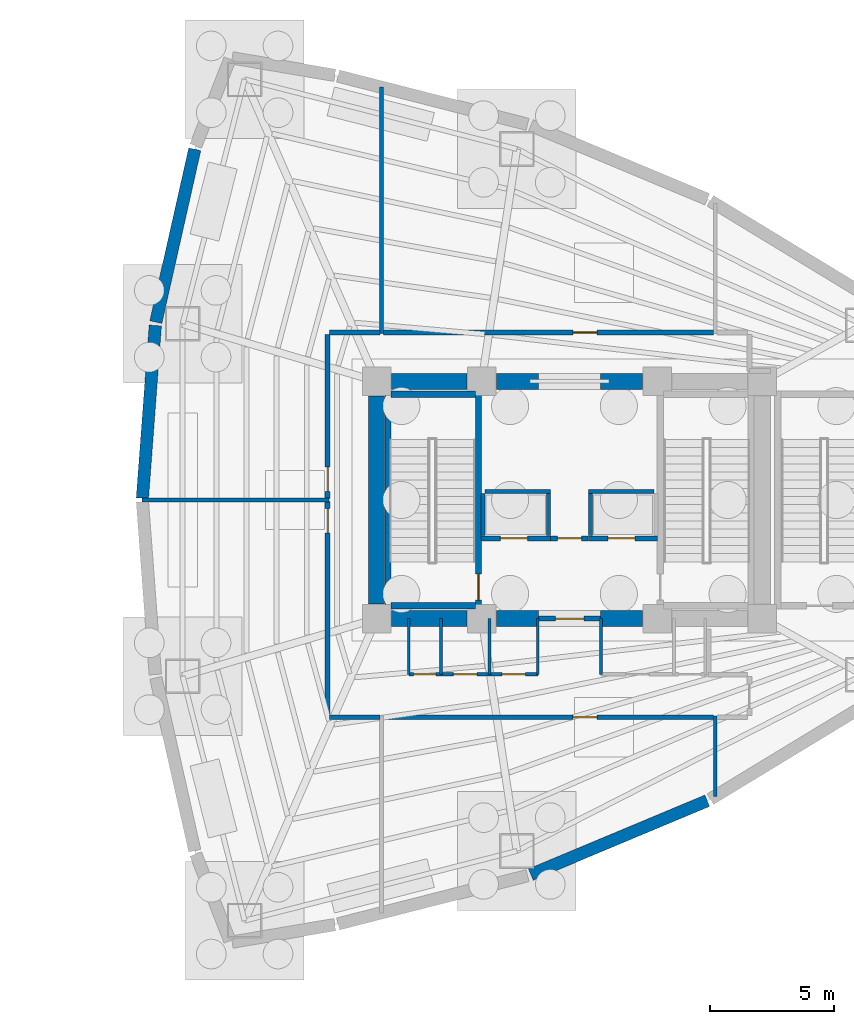
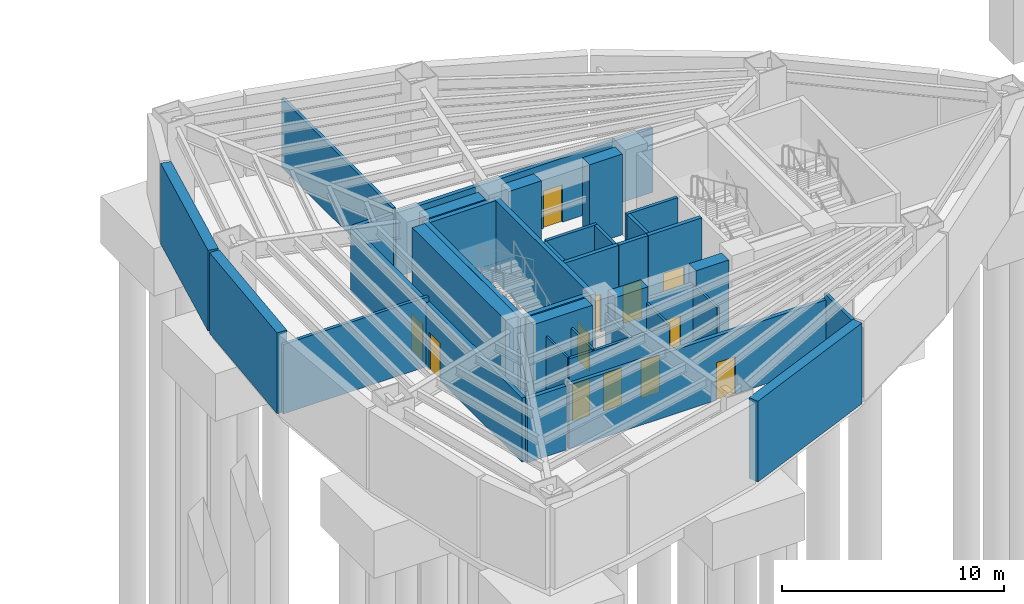
# One storey, part 3 of 7: 38 walls, 12 doors, 12 openings.
"""IFC4 building model written with IfcOpenShell, lengths in metres."""

from ifc_helpers import new_model, si_unit, direction, frame, frame_2d, origin, place, context, subcontext, project, spatial, rectangle, extrude, material, layer, layer_set, type_object, element, fill, save


model = new_model("IFC4")

# Units and contexts
model_context = context("Model", 3, precision=1e-05, world=origin(), true_north=direction((0.0, 1.0)))
body_context = subcontext(model_context, "Body", "Model", "MODEL_VIEW")
ifc_project = project(units=[si_unit("LENGTHUNIT", "METRE"), si_unit("AREAUNIT", "SQUARE_METRE"), si_unit("VOLUMEUNIT", "CUBIC_METRE"), si_unit("PLANEANGLEUNIT", "RADIAN"), si_unit("MASSUNIT", "GRAM", prefix="KILO")], contexts=[model_context])

# Site, building, storey
site_placement = place(None, origin())
site = spatial("IfcSite", under=ifc_project, at=site_placement, CompositionType="ELEMENT")
building_placement = place(site_placement, origin())
building = spatial("IfcBuilding", under=site, at=building_placement, Name="Menara Vayukalpa", CompositionType="ELEMENT")
storey_placement = place(building_placement, frame((0.0, 0.0, -9.60009765625)))
storey = spatial("IfcBuildingStorey", under=building, at=storey_placement, Name="B02", CompositionType="ELEMENT", Elevation=-9.60009765625)

# Walls
ifc_material_1 = material(Name="Concrete C80/95", Category="concrete")
ifc_layer_1 = layer(ifc_material_1, 0.64990234375)
ifc_layer_set_1 = layer_set([ifc_layer_1], Name="Concrete C80/95")
wall_type_1 = type_object("IfcWallType", Name="WAL-CW650", PredefinedType="SHEAR", material=ifc_layer_set_1)
wall_1_placement = place(storey_placement, frame((18.39501953125, 17.199951171875, 0.0), z_axis=(0.0, 0.0, 1.0), x_axis=(1.0, 0.0, 0.0)))
element("IfcWall", 1, at=wall_1_placement, inside=storey, type_object=wall_type_1, Name="B02 Buttressed Core Shear Wall CWS1", PredefinedType="SHEAR", context=body_context, shape_type="SweptSolid", body=[
    extrude(rectangle(XDim=3.06005859375, YDim=0.64990234375, at=frame_2d((1.530029296875, 0.0))), origin(), (0.0, 0.0, 1.0), 4.440185546875),
])
wall_2_placement = place(storey_placement, frame((22.64501953125, 17.199951171875, 0.0), z_axis=(0.0, 0.0, 1.0), x_axis=(1.0, 0.0, 0.0)))
element("IfcWall", 2, at=wall_2_placement, inside=storey, type_object=wall_type_1, Name="B02 Buttressed Core Shear Wall CWS2", PredefinedType="SHEAR", context=body_context, shape_type="SweptSolid", body=[
    extrude(rectangle(XDim=1.705078125, YDim=0.64990234375, at=frame_2d((0.8525390625, 0.0))), origin(), (0.0, 0.0, 1.0), 4.440185546875),
])
wall_3_placement = place(storey_placement, frame((26.85009765625, 17.199951171875, 0.0), z_axis=(0.0, 0.0, 1.0), x_axis=(1.0, 0.0, 0.0)))
element("IfcWall", 3, at=wall_3_placement, inside=storey, type_object=wall_type_1, Name="B02 Buttressed Core Shear Wall CWS3", PredefinedType="SHEAR", context=body_context, shape_type="SweptSolid", body=[
    extrude(rectangle(XDim=1.704833984375, YDim=0.64990234375, at=frame_2d((0.8525390625, 0.0))), origin(), (0.0, 0.0, 1.0), 4.440185546875),
])
wall_4_placement = place(storey_placement, frame((18.39501953125, 26.800048828125, 0.0), z_axis=(0.0, 0.0, 1.0), x_axis=(1.0, 0.0, 0.0)))
element("IfcWall", 4, at=wall_4_placement, inside=storey, type_object=wall_type_1, Name="B02 Buttressed Core Shear Wall CWN1", PredefinedType="SHEAR", context=body_context, shape_type="SweptSolid", body=[
    extrude(rectangle(XDim=3.06005859375, YDim=0.64990234375, at=frame_2d((1.530029296875, 0.0))), origin(), (0.0, 0.0, 1.0), 4.440185546875),
])
wall_5_placement = place(storey_placement, frame((22.64501953125, 26.800048828125, 0.0), z_axis=(0.0, 0.0, 1.0), x_axis=(1.0, 0.0, 0.0)))
element("IfcWall", 5, at=wall_5_placement, inside=storey, type_object=wall_type_1, Name="B02 Buttressed Core Shear Wall CWN2", PredefinedType="SHEAR", context=body_context, shape_type="SweptSolid", body=[
    extrude(rectangle(XDim=1.705078125, YDim=0.64990234375, at=frame_2d((0.8525390625, 0.0))), origin(), (0.0, 0.0, 1.0), 4.440185546875),
])
wall_6_placement = place(storey_placement, frame((26.85009765625, 26.800048828125, 0.0), z_axis=(0.0, 0.0, 1.0), x_axis=(1.0, 0.0, 0.0)))
element("IfcWall", 6, at=wall_6_placement, inside=storey, type_object=wall_type_1, Name="B02 Buttressed Core Shear Wall CWN3", PredefinedType="SHEAR", context=body_context, shape_type="SweptSolid", body=[
    extrude(rectangle(XDim=1.704833984375, YDim=0.64990234375, at=frame_2d((0.8525390625, 0.0))), origin(), (0.0, 0.0, 1.0), 4.440185546875),
])
wall_7_placement = place(storey_placement, frame((17.800048828125, 17.794921875, 0.0), z_axis=(0.0, 0.0, 1.0), x_axis=(0.0, 1.0, 0.0)))
element("IfcWall", 7, at=wall_7_placement, inside=storey, type_object=wall_type_1, Name="B02 Buttressed Core Shear Wall CWW1", PredefinedType="SHEAR", context=body_context, shape_type="SweptSolid", body=[
    extrude(rectangle(XDim=8.41015625, YDim=0.64990234375, at=frame_2d((4.205078125, 0.0))), origin(), (0.0, 0.0, 1.0), 4.440185546875),
])
ifc_material_2 = material(Name="Lightweight Concrete Blockwork C16/20", Category="masonry")
ifc_layer_2 = layer(ifc_material_2, 0.159912109375)
ifc_layer_set_2 = layer_set([ifc_layer_2], Name="Lightweight Concrete Blockwork C16/20")
wall_type_2 = type_object("IfcWallType", Name="WAL-FR150", PredefinedType="PARTITIONING", material=ifc_layer_set_2)
for number, where, z_axis, x_axis, name in (
    (8, (22.10498046875, 20.56005859375, 0.0), (0.0, 0.0, 1.0), (0.0, 1.0, 0.0), "B02 Interior Partition IW-B02-SHW-WW"),
    (9, (24.7548828125, 20.56005859375, 0.0), (0.0, 0.0, 1.0), (0.0, 1.0, 0.0), "B02 Interior Partition IW-B02-SHW-W1E"),
):
    element("IfcWall", number, at=place(storey_placement, frame(where, z_axis=z_axis, x_axis=x_axis)), inside=storey, type_object=wall_type_2, Name=name, PredefinedType="PARTITIONING", context=body_context, shape_type="SweptSolid", body=[
        extrude(rectangle(XDim=1.7099609375, YDim=0.159912109375, at=frame_2d((0.85498046875, 0.0))), origin(), (0.0, 0.0, 1.0), 4.440185546875),
    ])
wall_8_placement = place(storey_placement, frame((22.179931640625, 22.344970703125, 0.0), z_axis=(0.0, 0.0, 1.0), x_axis=(1.0, 0.0, 0.0)))
element("IfcWall", 10, at=wall_8_placement, inside=storey, type_object=wall_type_2, Name="B02 Interior Partition IW-B02-SHM-W12", PredefinedType="PARTITIONING", context=body_context, shape_type="SweptSolid", body=[
    extrude(rectangle(XDim=2.650146484375, YDim=0.159912109375, at=frame_2d((1.3251953125, 0.0))), origin(), (0.0, 0.0, 1.0), 4.440185546875),
])
wall_9_placement = place(storey_placement, frame((26.445068359375, 20.56005859375, 0.0), z_axis=(0.0, 0.0, 1.0), x_axis=(0.0, 1.0, 0.0)))
element("IfcWall", 11, at=wall_9_placement, inside=storey, type_object=wall_type_2, Name="B02 Interior Partition IW-B02-SHW-E1W", PredefinedType="PARTITIONING", context=body_context, shape_type="SweptSolid", body=[
    extrude(rectangle(XDim=1.7099609375, YDim=0.159912109375, at=frame_2d((0.85498046875, 0.0))), origin(), (0.0, 0.0, 1.0), 4.440185546875),
])
wall_10_placement = place(storey_placement, frame((26.3701171875, 22.344970703125, 0.0), z_axis=(0.0, 0.0, 1.0), x_axis=(1.0, 0.0, 0.0)))
element("IfcWall", 12, at=wall_10_placement, inside=storey, type_object=wall_type_2, Name="B02 Interior Partition IW-B02-SHM-E13", PredefinedType="PARTITIONING", context=body_context, shape_type="SweptSolid", body=[
    extrude(rectangle(XDim=2.64990234375, YDim=0.159912109375, at=frame_2d((1.324951171875, 0.0))), origin(), (0.0, 0.0, 1.0), 4.440185546875),
])
wall_11_placement = place(storey_placement, frame((18.0, 28.72998046875, 0.0), z_axis=(0.0, 0.0, 1.0), x_axis=(0.0, 1.0, 0.0)))
element("IfcWall", 13, at=wall_11_placement, inside=storey, type_object=wall_type_2, Name="B02 Interior Partition IW-B02-RDIV02", PredefinedType="PARTITIONING", context=body_context, shape_type="SweptSolid", body=[
    extrude(rectangle(XDim=9.984130859375, YDim=0.159912109375, at=frame_2d((4.9921875, 0.0))), origin(), (0.0, 0.0, 1.0), 3.820068359375),
])
wall_12_placement = place(storey_placement, frame((31.5, 10.0048828125, 0.0), z_axis=(0.0, 0.0, 1.0), x_axis=(0.0, 1.0, 0.0)))
element("IfcWall", 14, at=wall_12_placement, inside=storey, type_object=wall_type_2, Name="B02 Interior Partition IW-B02-RDIV03", PredefinedType="PARTITIONING", context=body_context, shape_type="SweptSolid", body=[
    extrude(rectangle(XDim=3.255126953125, YDim=0.159912109375, at=frame_2d((1.62744140625, 0.0))), origin(), (0.0, 0.0, 1.0), 3.820068359375),
])
wall_13_placement = place(storey_placement, frame((8.307373046875, 22.0, 0.0), z_axis=(0.0, 0.0, 1.0), x_axis=(1.0, 0.0, 0.0)))
element("IfcWall", 15, at=wall_13_placement, inside=storey, type_object=wall_type_2, Name="B02 Interior Partition IW-B02-RDIV05", PredefinedType="PARTITIONING", context=body_context, shape_type="SweptSolid", body=[
    extrude(rectangle(XDim=7.562744140625, YDim=0.159912109375, at=frame_2d((3.78125, 0.0))), origin(), (0.0, 0.0, 1.0), 3.820068359375),
])

# Wall, opening, door
ifc_material_3 = material(Name="Lightweight Concrete Blockwork C16/20", Category="masonry")
ifc_layer_3 = layer(ifc_material_3, 0.199951171875)
ifc_layer_set_3 = layer_set([ifc_layer_3], Name="Lightweight Concrete Blockwork C16/20")
wall_type_3 = type_object("IfcWallType", Name="WAL-FR200", PredefinedType="PARTITIONING", material=ifc_layer_set_3)
wall_14_placement = place(storey_placement, frame((24.35009765625, 17.199951171875, 0.0), z_axis=(0.0, 0.0, 1.0), x_axis=(1.0, 0.0, 0.0)))
wall_14 = element("IfcWall", 16, at=wall_14_placement, inside=storey, type_object=wall_type_3, Name="B02 Interior Partition IW-B02-FFLS", PredefinedType="PARTITIONING", context=body_context, shape_type="SweptSolid", body=[
    extrude(rectangle(XDim=2.5, YDim=0.199951171875, at=frame_2d((1.25, 0.0))), origin(), (0.0, 0.0, 1.0), 3.570068359375),
])
opening_1_placement = place(wall_14_placement, frame((0.679931640625, 0.0, 0.0)))
opening_1 = element("IfcOpeningElement", 17, at=opening_1_placement, cuts=wall_14, Name="Opening ID2", PredefinedType="OPENING", context=body_context, shape_type="SweptSolid", body=[
    extrude(rectangle(XDim=1.14990234375, YDim=2.080078125, at=frame_2d((0.574951171875, 1.0400390625))), frame((0.0, 0.10986328125, 0.0), z_axis=(0.0, -1.0, 0.0), x_axis=(1.0, 0.0, 0.0)), (0.0, 0.0, 1.0), 0.219970703125),
])
ifc_material_4 = material(Name="Fire-Rated Powder-Coated Steel Door", Category="steel")
door_type_1 = type_object("IfcDoorType", Name="DR-FD60W", OperationType="NOTDEFINED", PredefinedType="DOOR", material=ifc_material_4)
door_1_placement = place(opening_1_placement, origin())
door_1 = element("IfcDoor", 18, at=door_1_placement, inside=storey, type_object=door_type_1, Name="B02 Interior Door DR-B02-FFLS", OperationType="SINGLE_SWING_RIGHT", OverallHeight=2.080078125, OverallWidth=1.14990234375, PredefinedType="DOOR", context=body_context, shape_type="SweptSolid", body=[
    extrude(rectangle(XDim=1.14990234375, YDim=2.080078125, at=frame_2d((0.574951171875, 1.0400390625))), frame((0.0, 0.02490234375, 0.0), z_axis=(0.0, -1.0, 0.0), x_axis=(1.0, 0.0, 0.0)), (0.0, 0.0, 1.0), 0.050048828125),
])
fill(opening_1, door_1)

wall_15_placement = place(storey_placement, frame((24.840087890625, 20.449951171875, 0.0), z_axis=(0.0, 0.0, 1.0), x_axis=(1.0, 0.0, 0.0)))
wall_15 = element("IfcWall", 19, at=wall_15_placement, inside=storey, type_object=wall_type_3, Name="B02 Interior Partition IW-B02-FFLN", PredefinedType="PARTITIONING", context=body_context, shape_type="SweptSolid", body=[
    extrude(rectangle(XDim=1.52001953125, YDim=0.199951171875, at=frame_2d((0.760009765625, 0.0))), origin(), (0.0, 0.0, 1.0), 4.440185546875),
])
opening_2_placement = place(wall_15_placement, frame((0.27001953125, 0.0, 0.0)))
opening_2 = element("IfcOpeningElement", 20, at=opening_2_placement, cuts=wall_15, Name="Opening ID3", PredefinedType="OPENING", context=body_context, shape_type="SweptSolid", body=[
    extrude(rectangle(XDim=0.97998046875, YDim=2.06005859375, at=frame_2d((0.489990234375, 1.030029296875))), frame((0.0, 0.10986328125, 0.0), z_axis=(0.0, -1.0, 0.0), x_axis=(1.0, 0.0, 0.0)), (0.0, 0.0, 1.0), 0.219970703125),
])
ifc_material_5 = material(Name="Fire-Rated Powder-Coated Steel Door", Category="steel")
door_type_2 = type_object("IfcDoorType", Name="DR-FD60", OperationType="NOTDEFINED", PredefinedType="DOOR", material=ifc_material_5)
door_2_placement = place(opening_2_placement, origin())
door_2 = element("IfcDoor", 21, at=door_2_placement, inside=storey, type_object=door_type_2, Name="B02 Interior Door DR-B02-FFLN", OperationType="SINGLE_SWING_LEFT", OverallHeight=2.06005859375, OverallWidth=0.97998046875, PredefinedType="DOOR", context=body_context, shape_type="SweptSolid", body=[
    extrude(rectangle(XDim=0.97998046875, YDim=2.06005859375, at=frame_2d((0.489990234375, 1.030029296875))), frame((0.0, 0.02490234375, 0.0), z_axis=(0.0, -1.0, 0.0), x_axis=(1.0, 0.0, 0.0)), (0.0, 0.0, 1.0), 0.050048828125),
])
fill(opening_2, door_2)

wall_16_placement = place(storey_placement, frame((22.030029296875, 20.449951171875, 0.0), z_axis=(0.0, 0.0, 1.0), x_axis=(1.0, 0.0, 0.0)))
wall_16 = element("IfcWall", 22, at=wall_16_placement, inside=storey, type_object=wall_type_3, Name="B02 Interior Partition IW-B02-SH-W1", PredefinedType="PARTITIONING", context=body_context, shape_type="SweptSolid", body=[
    extrude(rectangle(XDim=2.800048828125, YDim=0.199951171875, at=frame_2d((1.39990234375, 0.0))), origin(), (0.0, 0.0, 1.0), 4.440185546875),
])
opening_3_placement = place(wall_16_placement, frame((0.780029296875, 0.0, 0.0)))
opening_3 = element("IfcOpeningElement", 23, at=opening_3_placement, cuts=wall_16, Name="Opening LD1", PredefinedType="OPENING", context=body_context, shape_type="SweptSolid", body=[
    extrude(rectangle(XDim=1.10009765625, YDim=2.080078125, at=frame_2d((0.550048828125, 1.0400390625))), frame((0.0, 0.10986328125, 0.0), z_axis=(0.0, -1.0, 0.0), x_axis=(1.0, 0.0, 0.0)), (0.0, 0.0, 1.0), 0.219970703125),
])
ifc_material_6 = material(Name="Brushed Stainless Steel 316 Lift Door", Category="steel")
door_type_3 = type_object("IfcDoorType", Name="DR-LD110", OperationType="NOTDEFINED", PredefinedType="DOOR", material=ifc_material_6)
door_3_placement = place(opening_3_placement, origin())
door_3 = element("IfcDoor", 24, at=door_3_placement, inside=storey, type_object=door_type_3, Name="B02 Interior Door DR-B02-LD-W1", OperationType="DOUBLE_DOOR_SLIDING", OverallHeight=2.080078125, OverallWidth=1.10009765625, PredefinedType="DOOR", context=body_context, shape_type="SweptSolid", body=[
    extrude(rectangle(XDim=1.10009765625, YDim=2.080078125, at=frame_2d((0.550048828125, 1.0400390625))), frame((0.0, 0.02490234375, 0.0), z_axis=(0.0, -1.0, 0.0), x_axis=(1.0, 0.0, 0.0)), (0.0, 0.0, 1.0), 0.050048828125),
])
fill(opening_3, door_3)

wall_17_placement = place(storey_placement, frame((26.3701171875, 20.449951171875, 0.0), z_axis=(0.0, 0.0, 1.0), x_axis=(1.0, 0.0, 0.0)))
wall_17 = element("IfcWall", 25, at=wall_17_placement, inside=storey, type_object=wall_type_3, Name="B02 Interior Partition IW-B02-SH-E1", PredefinedType="PARTITIONING", context=body_context, shape_type="SweptSolid", body=[
    extrude(rectangle(XDim=2.7998046875, YDim=0.199951171875, at=frame_2d((1.39990234375, 0.0))), origin(), (0.0, 0.0, 1.0), 4.440185546875),
])
opening_4_placement = place(wall_17_placement, frame((0.780029296875, 0.0, 0.0)))
opening_4 = element("IfcOpeningElement", 26, at=opening_4_placement, cuts=wall_17, Name="Opening LD1", PredefinedType="OPENING", context=body_context, shape_type="SweptSolid", body=[
    extrude(rectangle(XDim=1.10009765625, YDim=2.080078125, at=frame_2d((0.550048828125, 1.0400390625))), frame((0.0, 0.10986328125, 0.0), z_axis=(0.0, -1.0, 0.0), x_axis=(1.0, 0.0, 0.0)), (0.0, 0.0, 1.0), 0.219970703125),
])
door_4_placement = place(opening_4_placement, origin())
door_4 = element("IfcDoor", 27, at=door_4_placement, inside=storey, type_object=door_type_3, Name="B02 Interior Door DR-B02-LD-E1", OperationType="DOUBLE_DOOR_SLIDING", OverallHeight=2.080078125, OverallWidth=1.10009765625, PredefinedType="DOOR", context=body_context, shape_type="SweptSolid", body=[
    extrude(rectangle(XDim=1.10009765625, YDim=2.080078125, at=frame_2d((0.550048828125, 1.0400390625))), frame((0.0, 0.02490234375, 0.0), z_axis=(0.0, -1.0, 0.0), x_axis=(1.0, 0.0, 0.0)), (0.0, 0.0, 1.0), 0.050048828125),
])
fill(opening_4, door_4)

wall_18_placement = place(storey_placement, frame((15.820068359375, 21.929931640625, 0.0), z_axis=(0.0, 0.0, 1.0), x_axis=(0.0, -1.0, 0.0)))
wall_18 = element("IfcWall", 28, at=wall_18_placement, inside=storey, type_object=wall_type_3, Name="B02 Interior Partition IW-B02-CRM01-1", PredefinedType="PARTITIONING", context=body_context, shape_type="SweptSolid", body=[
    extrude(rectangle(XDim=8.639892578125, YDim=0.199951171875, at=frame_2d((4.31982421875, 0.0))), origin(), (0.0, 0.0, 1.0), 3.52001953125),
])
opening_5_placement = place(wall_18_placement, frame((0.280029296875, 0.0, 0.0)))
opening_5 = element("IfcOpeningElement", 29, at=opening_5_placement, cuts=wall_18, Name="Opening ID3", PredefinedType="OPENING", context=body_context, shape_type="SweptSolid", body=[
    extrude(rectangle(XDim=0.97998046875, YDim=2.06005859375, at=frame_2d((0.489990234375, 1.030029296875))), frame((0.0, 0.10986328125, 0.0), z_axis=(0.0, -1.0, 0.0), x_axis=(1.0, 0.0, 0.0)), (0.0, 0.0, 1.0), 0.219970703125),
])
door_5_placement = place(opening_5_placement, origin())
door_5 = element("IfcDoor", 30, at=door_5_placement, inside=storey, type_object=door_type_2, Name="B02 Interior Door DR-B02-RM01", OperationType="SINGLE_SWING_LEFT", OverallHeight=2.06005859375, OverallWidth=0.97998046875, PredefinedType="DOOR", context=body_context, shape_type="SweptSolid", body=[
    extrude(rectangle(XDim=0.97998046875, YDim=2.06005859375, at=frame_2d((0.489990234375, 1.030029296875))), frame((0.0, 0.02490234375, 0.0), z_axis=(0.0, -1.0, 0.0), x_axis=(1.0, 0.0, 0.0)), (0.0, 0.0, 1.0), 0.050048828125),
])
fill(opening_5, door_5)

# Wall
wall_19_placement = place(storey_placement, frame((15.89990234375, 13.2099609375, 0.0), z_axis=(0.0, 0.0, 1.0), x_axis=(1.0, 0.0, 0.0)))
element("IfcWall", 31, at=wall_19_placement, inside=storey, type_object=wall_type_3, Name="B02 Interior Partition IW-B02-CRM01-2", PredefinedType="PARTITIONING", context=body_context, shape_type="SweptSolid", body=[
    extrude(rectangle(XDim=2.030029296875, YDim=0.199951171875, at=frame_2d((1.01513671875, 0.0))), origin(), (0.0, 0.0, 1.0), 3.52001953125),
])

# Wall, opening, door
wall_20_placement = place(storey_placement, frame((18.070068359375, 13.2099609375, 0.0), z_axis=(0.0, 0.0, 1.0), x_axis=(1.0, 0.0, 0.0)))
wall_20 = element("IfcWall", 32, at=wall_20_placement, inside=storey, type_object=wall_type_3, Name="B02 Interior Partition IW-B02-CRM03-1", PredefinedType="PARTITIONING", context=body_context, shape_type="SweptSolid", body=[
    extrude(rectangle(XDim=13.35986328125, YDim=0.199951171875, at=frame_2d((6.679931640625, 0.0))), origin(), (0.0, 0.0, 1.0), 3.52001953125),
])
opening_6_placement = place(wall_20_placement, frame((7.66748046875, 0.0, 0.0)))
opening_6 = element("IfcOpeningElement", 33, at=opening_6_placement, cuts=wall_20, Name="Opening ID3", PredefinedType="OPENING", context=body_context, shape_type="SweptSolid", body=[
    extrude(rectangle(XDim=0.97998046875, YDim=2.06005859375, at=frame_2d((0.489990234375, 1.030029296875))), frame((0.0, 0.10986328125, 0.0), z_axis=(0.0, -1.0, 0.0), x_axis=(1.0, 0.0, 0.0)), (0.0, 0.0, 1.0), 0.219970703125),
])
door_6_placement = place(opening_6_placement, origin())
door_6 = element("IfcDoor", 34, at=door_6_placement, inside=storey, type_object=door_type_2, Name="B02 Interior Door DR-B02-RM03", OperationType="SINGLE_SWING_RIGHT", OverallHeight=2.06005859375, OverallWidth=0.97998046875, PredefinedType="DOOR", context=body_context, shape_type="SweptSolid", body=[
    extrude(rectangle(XDim=0.97998046875, YDim=2.06005859375, at=frame_2d((0.489990234375, 1.030029296875))), frame((0.0, 0.02490234375, 0.0), z_axis=(0.0, -1.0, 0.0), x_axis=(1.0, 0.0, 0.0)), (0.0, 0.0, 1.0), 0.050048828125),
])
fill(opening_6, door_6)

wall_21_placement = place(storey_placement, frame((31.429931640625, 28.780029296875, 0.0), z_axis=(0.0, 0.0, 1.0), x_axis=(-1.0, 0.0, 0.0)))
wall_21 = element("IfcWall", 35, at=wall_21_placement, inside=storey, type_object=wall_type_3, Name="B02 Interior Partition IW-B02-CRM06-1", PredefinedType="PARTITIONING", context=body_context, shape_type="SweptSolid", body=[
    extrude(rectangle(XDim=13.35986328125, YDim=0.199951171875, at=frame_2d((6.679931640625, 0.0))), origin(), (0.0, 0.0, 1.0), 3.52001953125),
])
opening_7_placement = place(wall_21_placement, frame((4.71240234375, 0.0, 0.0)))
opening_7 = element("IfcOpeningElement", 36, at=opening_7_placement, cuts=wall_21, Name="Opening ID3", PredefinedType="OPENING", context=body_context, shape_type="SweptSolid", body=[
    extrude(rectangle(XDim=0.97998046875, YDim=2.06005859375, at=frame_2d((0.489990234375, 1.030029296875))), frame((0.0, 0.10986328125, 0.0), z_axis=(0.0, -1.0, 0.0), x_axis=(1.0, 0.0, 0.0)), (0.0, 0.0, 1.0), 0.219970703125),
])
door_7_placement = place(opening_7_placement, origin())
door_7 = element("IfcDoor", 37, at=door_7_placement, inside=storey, type_object=door_type_2, Name="B02 Interior Door DR-B02-RM06", OperationType="SINGLE_SWING_RIGHT", OverallHeight=2.06005859375, OverallWidth=0.97998046875, PredefinedType="DOOR", context=body_context, shape_type="SweptSolid", body=[
    extrude(rectangle(XDim=0.97998046875, YDim=2.06005859375, at=frame_2d((0.489990234375, 1.030029296875))), frame((0.0, 0.02490234375, 0.0), z_axis=(0.0, -1.0, 0.0), x_axis=(1.0, 0.0, 0.0)), (0.0, 0.0, 1.0), 0.050048828125),
])
fill(opening_7, door_7)

# Wall
wall_22_placement = place(storey_placement, frame((17.929931640625, 28.780029296875, 0.0), z_axis=(0.0, 0.0, 1.0), x_axis=(-1.0, 0.0, 0.0)))
element("IfcWall", 38, at=wall_22_placement, inside=storey, type_object=wall_type_3, Name="B02 Interior Partition IW-B02-CRM07-1", PredefinedType="PARTITIONING", context=body_context, shape_type="SweptSolid", body=[
    extrude(rectangle(XDim=2.030029296875, YDim=0.199951171875, at=frame_2d((1.01513671875, 0.0))), origin(), (0.0, 0.0, 1.0), 3.52001953125),
])

# Wall, opening, door
wall_23_placement = place(storey_placement, frame((15.820068359375, 28.699951171875, 0.0), z_axis=(0.0, 0.0, 1.0), x_axis=(0.0, -1.0, 0.0)))
wall_23 = element("IfcWall", 39, at=wall_23_placement, inside=storey, type_object=wall_type_3, Name="B02 Interior Partition IW-B02-CRM07-2", PredefinedType="PARTITIONING", context=body_context, shape_type="SweptSolid", body=[
    extrude(rectangle(XDim=6.6298828125, YDim=0.199951171875, at=frame_2d((3.31494140625, 0.0))), origin(), (0.0, 0.0, 1.0), 3.52001953125),
])
opening_8_placement = place(wall_23_placement, frame((5.3701171875, 0.0, 0.0)))
opening_8 = element("IfcOpeningElement", 40, at=opening_8_placement, cuts=wall_23, Name="Opening ID3", PredefinedType="OPENING", context=body_context, shape_type="SweptSolid", body=[
    extrude(rectangle(XDim=0.97998046875, YDim=2.06005859375, at=frame_2d((0.489990234375, 1.030029296875))), frame((0.0, 0.10986328125, 0.0), z_axis=(0.0, -1.0, 0.0), x_axis=(1.0, 0.0, 0.0)), (0.0, 0.0, 1.0), 0.219970703125),
])
door_8_placement = place(opening_8_placement, origin())
door_8 = element("IfcDoor", 41, at=door_8_placement, inside=storey, type_object=door_type_2, Name="B02 Interior Door DR-B02-RM07", OperationType="SINGLE_SWING_LEFT", OverallHeight=2.06005859375, OverallWidth=0.97998046875, PredefinedType="DOOR", context=body_context, shape_type="SweptSolid", body=[
    extrude(rectangle(XDim=0.97998046875, YDim=2.06005859375, at=frame_2d((0.489990234375, 1.030029296875))), frame((0.0, 0.02490234375, 0.0), z_axis=(0.0, -1.0, 0.0), x_axis=(1.0, 0.0, 0.0)), (0.0, 0.0, 1.0), 0.050048828125),
])
fill(opening_8, door_8)

# Walls
ifc_material_7 = material(Name="Acoustic Mineral Stud Partition", Category="masonry")
ifc_layer_4 = layer(ifc_material_7, 0.110107421875)
ifc_layer_set_4 = layer_set([ifc_layer_4], Name="Acoustic Mineral Stud Partition")
wall_type_4 = type_object("IfcWallType", Name="WAL-PT110", PredefinedType="PARTITIONING", material=ifc_layer_set_4)
for number, where, z_axis, x_axis, name in (
    (42, (19.10009765625, 14.949951171875, 0.0), (0.0, 0.0, 1.0), (0.0, 1.0, 0.0), "B02 Interior Partition IW-B02-SVCD-01"),
    (43, (24.320068359375, 14.949951171875, 0.0), (0.0, 0.0, 1.0), (0.0, 1.0, 0.0), "B02 Interior Partition IW-B02-SVCD-04"),
):
    element("IfcWall", number, at=place(storey_placement, frame(where, z_axis=z_axis, x_axis=x_axis)), inside=storey, type_object=wall_type_4, Name=name, PredefinedType="PARTITIONING", context=body_context, shape_type="SweptSolid", body=[
        extrude(rectangle(XDim=2.25, YDim=0.110107421875, at=frame_2d((1.125, 0.0))), origin(), (0.0, 0.0, 1.0), 3.570068359375),
    ])
ifc_material_8 = material(Name="Gypsum Drywall Steel Stud Assembly", Category="steel")
ifc_layer_5 = layer(ifc_material_8, 0.125)
ifc_layer_set_5 = layer_set([ifc_layer_5], Name="Gypsum Drywall Steel Stud Assembly")
wall_type_5 = type_object("IfcWallType", Name="WAL-PT125", PredefinedType="PARTITIONING", material=ifc_layer_set_5)
wall_24_placement = place(storey_placement, frame((20.39990234375, 14.949951171875, 0.0), z_axis=(0.0, 0.0, 1.0), x_axis=(0.0, 1.0, 0.0)))
element("IfcWall", 44, at=wall_24_placement, inside=storey, type_object=wall_type_5, Name="B02 Interior Partition IW-B02-SVCD-02", PredefinedType="PARTITIONING", context=body_context, shape_type="SweptSolid", body=[
    extrude(rectangle(XDim=2.25, YDim=0.125, at=frame_2d((1.125, 0.0))), origin(), (0.0, 0.0, 1.0), 3.570068359375),
])
wall_25_placement = place(storey_placement, frame((22.360107421875, 14.949951171875, 0.0), z_axis=(0.0, 0.0, 1.0), x_axis=(0.0, 1.0, 0.0)))
element("IfcWall", 45, at=wall_25_placement, inside=storey, type_object=wall_type_5, Name="B02 Interior Partition IW-B02-SVCD-03", PredefinedType="PARTITIONING", context=body_context, shape_type="SweptSolid", body=[
    extrude(rectangle(XDim=2.25, YDim=0.125, at=frame_2d((1.125, 0.0))), origin(), (0.0, 0.0, 1.0), 3.52001953125),
])
wall_26_placement = place(storey_placement, frame((26.8798828125, 14.949951171875, 0.0), z_axis=(0.0, 0.0, 1.0), x_axis=(0.0, 1.0, 0.0)))
element("IfcWall", 46, at=wall_26_placement, inside=storey, type_object=wall_type_5, Name="B02 Interior Partition IW-B02-SVCD-05", PredefinedType="PARTITIONING", context=body_context, shape_type="SweptSolid", body=[
    extrude(rectangle(XDim=2.25, YDim=0.125, at=frame_2d((1.125, 0.0))), origin(), (0.0, 0.0, 1.0), 3.570068359375),
])

# Wall, openings, doors
ifc_material_9 = material(Name="Gypsum Drywall Acoustic Stud Assembly", Category="masonry")
ifc_layer_6 = layer(ifc_material_9, 0.14501953125)
ifc_layer_set_6 = layer_set([ifc_layer_6], Name="Gypsum Drywall Acoustic Stud Assembly")
wall_type_6 = type_object("IfcWallType", Name="WAL-PT150", PredefinedType="PARTITIONING", material=ifc_layer_set_6)
wall_27_placement = place(storey_placement, frame((19.10009765625, 14.949951171875, 0.0), z_axis=(0.0, 0.0, 1.0), x_axis=(1.0, 0.0, 0.0)))
wall_27 = element("IfcWall", 47, at=wall_27_placement, inside=storey, type_object=wall_type_6, Name="B02 Interior Partition IW-B02-SVCS-W", PredefinedType="PARTITIONING", context=body_context, shape_type="SweptSolid", body=[
    extrude(rectangle(XDim=5.219970703125, YDim=0.14501953125, at=frame_2d((2.60986328125, 0.0))), origin(), (0.0, 0.0, 1.0), 3.52001953125),
])
opening_9_placement = place(wall_27_placement, frame((0.199951171875, 0.0, 0.0)))
opening_9 = element("IfcOpeningElement", 48, at=opening_9_placement, cuts=wall_27, Name="Opening ID7", PredefinedType="OPENING", context=body_context, shape_type="SweptSolid", body=[
    extrude(rectangle(XDim=0.89990234375, YDim=2.02001953125, at=frame_2d((0.449951171875, 1.010009765625))), frame((0.0, 0.08251953125, 0.0), z_axis=(0.0, -1.0, 0.0), x_axis=(1.0, 0.0, 0.0)), (0.0, 0.0, 1.0), 0.1650390625),
])
opening_10_placement = place(wall_27_placement, frame((1.804931640625, 0.0, 0.0)))
opening_10 = element("IfcOpeningElement", 49, at=opening_10_placement, cuts=wall_27, Name="Opening ID5", PredefinedType="OPENING", context=body_context, shape_type="SweptSolid", body=[
    extrude(rectangle(XDim=0.949951171875, YDim=2.06005859375, at=frame_2d((0.47509765625, 1.030029296875))), frame((0.0, 0.08251953125, 0.0), z_axis=(0.0, -1.0, 0.0), x_axis=(1.0, 0.0, 0.0)), (0.0, 0.0, 1.0), 0.1650390625),
])
opening_11_placement = place(wall_27_placement, frame((3.764892578125, 0.0, 0.0)))
opening_11 = element("IfcOpeningElement", 50, at=opening_11_placement, cuts=wall_27, Name="Opening ID5", PredefinedType="OPENING", context=body_context, shape_type="SweptSolid", body=[
    extrude(rectangle(XDim=0.949951171875, YDim=2.06005859375, at=frame_2d((0.47509765625, 1.030029296875))), frame((0.0, 0.08251953125, 0.0), z_axis=(0.0, -1.0, 0.0), x_axis=(1.0, 0.0, 0.0)), (0.0, 0.0, 1.0), 0.1650390625),
])
ifc_material_10 = material(Name="Acoustic Hardwood Veneer Timber Door", Category="wood")
door_type_4 = type_object("IfcDoorType", Name="DR-INT95", OperationType="NOTDEFINED", PredefinedType="DOOR", material=ifc_material_10)
door_9_placement = place(opening_10_placement, origin())
door_9 = element("IfcDoor", 51, at=door_9_placement, inside=storey, type_object=door_type_4, Name="B02 Interior Door DR-B02-AWC", OperationType="SINGLE_SWING_LEFT", OverallHeight=2.06005859375, OverallWidth=0.949951171875, PredefinedType="DOOR", context=body_context, shape_type="SweptSolid", body=[
    extrude(rectangle(XDim=0.949951171875, YDim=2.06005859375, at=frame_2d((0.47509765625, 1.030029296875))), frame((0.0, 0.02490234375, 0.0), z_axis=(0.0, -1.0, 0.0), x_axis=(1.0, 0.0, 0.0)), (0.0, 0.0, 1.0), 0.050048828125),
])
fill(opening_10, door_9)
door_10_placement = place(opening_11_placement, origin())
door_10 = element("IfcDoor", 52, at=door_10_placement, inside=storey, type_object=door_type_4, Name="B02 Interior Door DR-B02-SWC", OperationType="SINGLE_SWING_RIGHT", OverallHeight=2.06005859375, OverallWidth=0.949951171875, PredefinedType="DOOR", context=body_context, shape_type="SweptSolid", body=[
    extrude(rectangle(XDim=0.949951171875, YDim=2.06005859375, at=frame_2d((0.47509765625, 1.030029296875))), frame((0.0, 0.02490234375, 0.0), z_axis=(0.0, -1.0, 0.0), x_axis=(1.0, 0.0, 0.0)), (0.0, 0.0, 1.0), 0.050048828125),
])
fill(opening_11, door_10)
ifc_material_11 = material(Name="Powder-Coated Steel Riser Access Door", Category="steel")
door_type_5 = type_object("IfcDoorType", Name="DR-RISER", OperationType="NOTDEFINED", PredefinedType="DOOR", material=ifc_material_11)
door_11_placement = place(opening_9_placement, origin())
door_11 = element("IfcDoor", 53, at=door_11_placement, inside=storey, type_object=door_type_5, Name="B02 Interior Door DR-B02-ELR", OperationType="SINGLE_SWING_RIGHT", OverallHeight=2.02001953125, OverallWidth=0.89990234375, PredefinedType="DOOR", context=body_context, shape_type="SweptSolid", body=[
    extrude(rectangle(XDim=0.89990234375, YDim=2.02001953125, at=frame_2d((0.449951171875, 1.010009765625))), frame((0.0, 0.02490234375, 0.0), z_axis=(0.0, -1.0, 0.0), x_axis=(1.0, 0.0, 0.0)), (0.0, 0.0, 1.0), 0.050048828125),
])
fill(opening_9, door_11)

# Walls
ifc_material_12 = material(Name="Concrete C50/60", Category="concrete")
ifc_layer_7 = layer(ifc_material_12, 0.5)
ifc_layer_set_7 = layer_set([ifc_layer_7], Name="Concrete C50/60")
wall_type_7 = type_object("IfcWallType", Name="WAL-RW500", PredefinedType="USERDEFINED", material=ifc_layer_set_7)
wall_28_placement = place(storey_placement, frame((10.440673828125, 36.189453125, 0.0), z_axis=(0.0, 0.0, 1.0), x_axis=(-0.219512195122, -0.975609756098, 0.0)))
element("IfcWall", 54, at=wall_28_placement, inside=storey, type_object=wall_type_7, Name="B02 Diaphragm Retaining Wall 09", ObjectType="RETAININGWALL", PredefinedType="USERDEFINED", context=body_context, shape_type="SweptSolid", body=[
    extrude(rectangle(XDim=7.1669921875, YDim=0.5, at=frame_2d((3.58349609375, 0.0))), origin(), (0.0, 0.0, 1.0), 4.440185546875),
])
wall_29_placement = place(storey_placement, frame((8.8466796875, 29.05908203125, 0.0), z_axis=(0.0, 0.0, 1.0), x_axis=(-0.074786484424, -0.997199569669, 0.0)))
element("IfcWall", 55, at=wall_29_placement, inside=storey, type_object=wall_type_7, Name="B02 Diaphragm Retaining Wall 10", ObjectType="RETAININGWALL", PredefinedType="USERDEFINED", context=body_context, shape_type="SweptSolid", body=[
    extrude(rectangle(XDim=7.0087890625, YDim=0.5, at=frame_2d((3.50439453125, 0.0))), origin(), (0.0, 0.0, 1.0), 4.440185546875),
])
wall_30_placement = place(storey_placement, frame((24.039306640625, 6.846923828125, 0.0), z_axis=(0.0, 0.0, 1.0), x_axis=(0.922541071148, 0.385898914283, 0.0)))
element("IfcWall", 56, at=wall_30_placement, inside=storey, type_object=wall_type_7, Name="B02 Diaphragm Retaining Wall 16", ObjectType="RETAININGWALL", PredefinedType="USERDEFINED", context=body_context, shape_type="SweptSolid", body=[
    extrude(rectangle(XDim=7.73681640625, YDim=0.5, at=frame_2d((3.868408203125, 0.0))), origin(), (0.0, 0.0, 1.0), 4.440185546875),
])
ifc_material_13 = material(Name="Concrete C50/60", Category="concrete")
ifc_layer_8 = layer(ifc_material_13, 0.25)
ifc_layer_set_8 = layer_set([ifc_layer_8], Name="Concrete C50/60")
wall_type_8 = type_object("IfcWallType", Name="WAL-SW250", PredefinedType="SHEAR", material=ifc_layer_set_8)
wall_31_placement = place(storey_placement, frame((18.25390625, 17.60009765625, 0.0), z_axis=(0.0, 0.0, 1.0), x_axis=(0.0, 1.0, 0.0)))
element("IfcWall", 57, at=wall_31_placement, inside=storey, type_object=wall_type_8, Name="B02 ST1 Structural Stair Shaft Wall W", PredefinedType="SHEAR", context=body_context, shape_type="SweptSolid", body=[
    extrude(rectangle(XDim=8.7998046875, YDim=0.25, at=frame_2d((4.39990234375, 0.0))), origin(), (0.0, 0.0, 1.0), 4.440185546875),
])

# Wall, opening, door
wall_32_placement = place(storey_placement, frame((21.925048828125, 17.60009765625, 0.0), z_axis=(0.0, 0.0, 1.0), x_axis=(0.0, 1.0, 0.0)))
wall_32 = element("IfcWall", 58, at=wall_32_placement, inside=storey, type_object=wall_type_8, Name="B02 ST1 Structural Stair Shaft Wall E", PredefinedType="SHEAR", context=body_context, shape_type="SweptSolid", body=[
    extrude(rectangle(XDim=8.7998046875, YDim=0.25, at=frame_2d((4.39990234375, 0.0))), origin(), (0.0, 0.0, 1.0), 4.440185546875),
])
opening_12_placement = place(wall_32_placement, frame((0.35009765625, 0.0, 0.0)))
opening_12 = element("IfcOpeningElement", 59, at=opening_12_placement, cuts=wall_32, Name="Opening ID1", PredefinedType="OPENING", context=body_context, shape_type="SweptSolid", body=[
    extrude(rectangle(XDim=1.050048828125, YDim=2.080078125, at=frame_2d((0.52490234375, 1.0400390625))), frame((0.0, 0.135009765625, 0.0), z_axis=(0.0, -1.0, 0.0), x_axis=(1.0, 0.0, 0.0)), (0.0, 0.0, 1.0), 0.27001953125),
])
ifc_material_14 = material(Name="Fire-Rated Powder-Coated Steel Door", Category="steel")
door_type_6 = type_object("IfcDoorType", Name="DR-FD120", OperationType="NOTDEFINED", PredefinedType="DOOR", material=ifc_material_14)
door_12_placement = place(opening_12_placement, origin())
door_12 = element("IfcDoor", 60, at=door_12_placement, inside=storey, type_object=door_type_6, Name="B02 Stair Exit Door DR-B02-ST1", OperationType="SINGLE_SWING_LEFT", OverallHeight=2.080078125, OverallWidth=1.050048828125, PredefinedType="DOOR", context=body_context, shape_type="SweptSolid", body=[
    extrude(rectangle(XDim=1.050048828125, YDim=2.080078125, at=frame_2d((0.52490234375, 1.0400390625))), frame((0.0, 0.02490234375, 0.0), z_axis=(0.0, -1.0, 0.0), x_axis=(1.0, 0.0, 0.0)), (0.0, 0.0, 1.0), 0.050048828125),
])
fill(opening_12, door_12)

# Walls
for number, where, z_axis, x_axis, name in (
    (61, (18.37890625, 17.72509765625, 0.0), (0.0, 0.0, 1.0), (1.0, 0.0, 0.0), "B02 ST1 Structural Stair Shaft Wall S"),
    (62, (18.37890625, 26.27490234375, 0.0), (0.0, 0.0, 1.0), (1.0, 0.0, 0.0), "B02 ST1 Structural Stair Shaft Wall N"),
):
    element("IfcWall", number, at=place(storey_placement, frame(where, z_axis=z_axis, x_axis=x_axis)), inside=storey, type_object=wall_type_8, Name=name, PredefinedType="SHEAR", context=body_context, shape_type="SweptSolid", body=[
        extrude(rectangle(XDim=3.421142578125, YDim=0.25, at=frame_2d((1.71044921875, 0.0))), origin(), (0.0, 0.0, 1.0), 4.440185546875),
    ])

save(model, "model.ifc")
